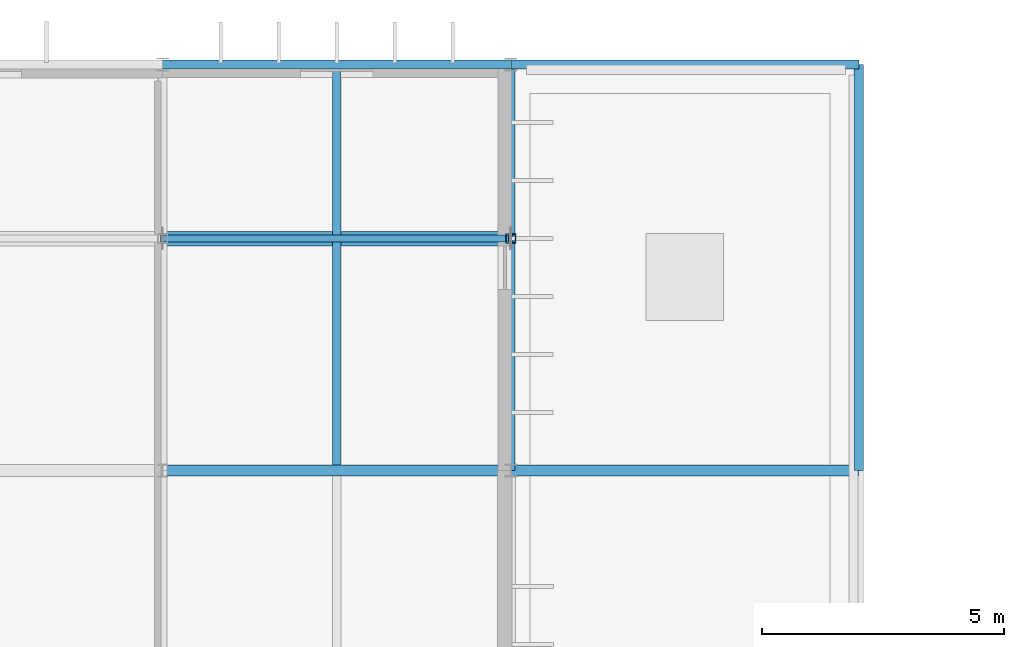
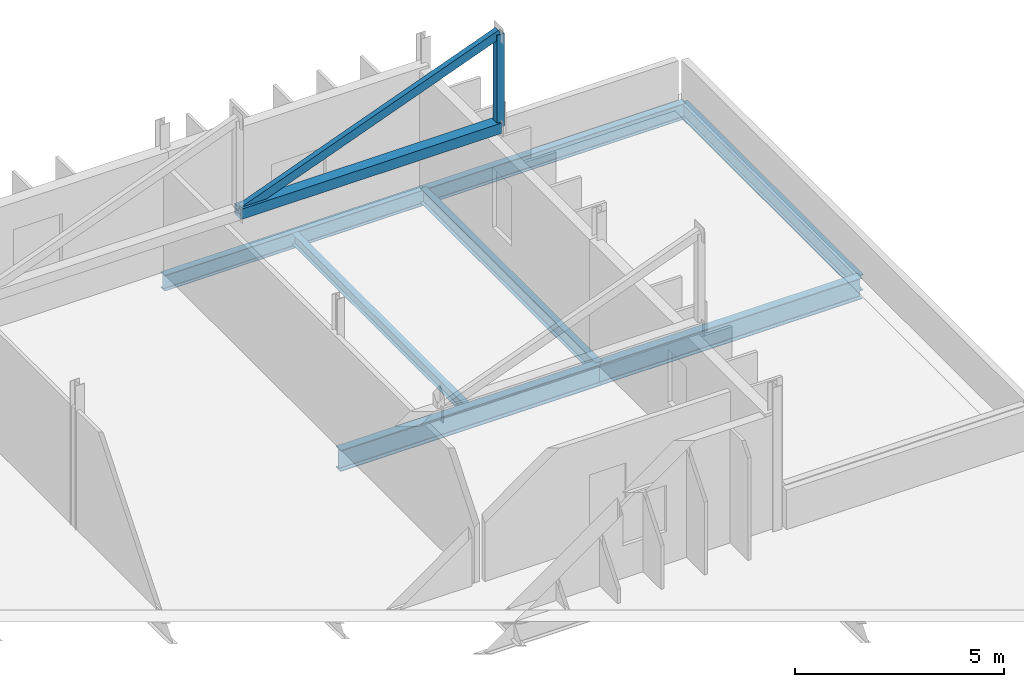
# One storey, part 26 of 52: 7 beams, 3 members.
"""IFC4 building model written with IfcOpenShell, lengths in metres."""

from ifc_helpers import new_model, si_unit, direction, frame, origin, origin_2d, place, context, subcontext, project, spatial, hollow_rectangle, i_section, extrude, material, material_profile, profile_set, type_object, element, save


model = new_model("IFC4")

# Units and contexts
model_context = context("Model", 3, precision=1e-05, world=origin(), true_north=direction((0.0, 1.0)))
body_context = subcontext(model_context, "Body", "Model", "MODEL_VIEW")
ifc_project = project(units=[si_unit("LENGTHUNIT", "METRE"), si_unit("AREAUNIT", "SQUARE_METRE"), si_unit("VOLUMEUNIT", "CUBIC_METRE"), si_unit("PLANEANGLEUNIT", "RADIAN"), si_unit("MASSUNIT", "GRAM", prefix="KILO")], contexts=[model_context])

# Site, building, storey
site_placement = place(None, origin())
site = spatial("IfcSite", under=ifc_project, at=site_placement, CompositionType="ELEMENT")
building_placement = place(site_placement, origin())
building = spatial("IfcBuilding", under=site, at=building_placement, Name="Qelthora Terrace Specialist Clinic", CompositionType="ELEMENT")
storey_placement = place(building_placement, frame((0.0, 0.0, 17.39990234375)))
storey = spatial("IfcBuildingStorey", under=building, at=storey_placement, Name="L04", CompositionType="ELEMENT", Elevation=17.39990234375)

# Beams
ifc_material = material(Name="Steel S355", Category="steel")
ifc_material_profile_1 = material_profile(ifc_material, i_section(OverallWidth=0.179931640625, OverallDepth=0.4130859375, WebThickness=0.009765625, FlangeThickness=0.01611328125, FilletRadius=0.011962890625, at=origin_2d()), Name="W410X75")
ifc_profile_set_1 = profile_set([ifc_material_profile_1], Name="Steel S355")
beam_type_1 = type_object("IfcBeamType", Name="BM-W410X75", PredefinedType="BEAM", material=ifc_profile_set_1)
beam_1_placement = place(storey_placement, frame((100.800048828125, 100.800048828125, -0.456298828125), z_axis=(0.0, 1.0, 0.0), x_axis=(-1.0, 0.0, 0.0)))
element("IfcBeam", 1, at=beam_1_placement, inside=storey, type_object=beam_type_1, Name="Girder BMY-L04-1269", PredefinedType="BEAM", context=body_context, shape_type="SweptSolid", body=[
    extrude(i_section(OverallWidth=0.179931640625, OverallDepth=0.4130859375, WebThickness=0.009765625, FlangeThickness=0.01611328125, FilletRadius=0.011962890625, at=origin_2d()), origin(), (0.0, 0.0, 1.0), 8.39990234375),
])
ifc_material_profile_2 = material_profile(ifc_material, i_section(OverallWidth=0.19091796875, OverallDepth=0.4599609375, WebThickness=0.010009765625, FlangeThickness=0.01611328125, FilletRadius=0.012939453125, at=origin_2d()), Name="W460X82")
ifc_profile_set_2 = profile_set([ifc_material_profile_2], Name="Steel S355")
beam_type_2 = type_object("IfcBeamType", Name="BM-W460X82", PredefinedType="BEAM", material=ifc_profile_set_2)
beam_2_placement = place(storey_placement, frame((108.0, 100.800048828125, -0.47998046875), z_axis=(0.0, 1.0, 0.0), x_axis=(-1.0, 0.0, 0.0)))
element("IfcBeam", 2, at=beam_2_placement, inside=storey, type_object=beam_type_2, Name="Girder BMY-L04-1278", PredefinedType="BEAM", context=body_context, shape_type="SweptSolid", body=[
    extrude(i_section(OverallWidth=0.19091796875, OverallDepth=0.4599609375, WebThickness=0.010009765625, FlangeThickness=0.01611328125, FilletRadius=0.012939453125, at=origin_2d()), origin(), (0.0, 0.0, 1.0), 8.39990234375),
])
ifc_material_profile_3 = material_profile(ifc_material, i_section(OverallWidth=0.22900390625, OverallDepth=0.612060546875, WebThickness=0.011962890625, FlangeThickness=0.01953125, FilletRadius=0.01611328125, at=origin_2d()), Name="W610X125")
ifc_profile_set_3 = profile_set([ifc_material_profile_3], Name="Steel S355")
beam_type_3 = type_object("IfcBeamType", Name="BM-W610X125", PredefinedType="BEAM", material=ifc_profile_set_3)
beam_3_placement = place(storey_placement, frame((100.800048828125, 100.800048828125, -0.555908203125), z_axis=(1.0, 0.0, 0.0), x_axis=(0.0, 1.0, 0.0)))
element("IfcBeam", 3, at=beam_3_placement, inside=storey, type_object=beam_type_3, Name="Girder BMX-L04-1194", PredefinedType="BEAM", context=body_context, shape_type="SweptSolid", body=[
    extrude(i_section(OverallWidth=0.22900390625, OverallDepth=0.612060546875, WebThickness=0.011962890625, FlangeThickness=0.01953125, FilletRadius=0.01611328125, at=origin_2d()), origin(), (0.0, 0.0, 1.0), 7.199951171875),
])
ifc_material_profile_4 = material_profile(ifc_material, i_section(OverallWidth=0.22998046875, OverallDepth=0.616943359375, WebThickness=0.01318359375, FlangeThickness=0.022216796875, FilletRadius=0.01611328125, at=origin_2d()), Name="W610X140")
ifc_profile_set_4 = profile_set([ifc_material_profile_4], Name="Steel S355")
beam_type_4 = type_object("IfcBeamType", Name="BM-W610X140", PredefinedType="BEAM", material=ifc_profile_set_4)
beam_4_placement = place(storey_placement, frame((93.60009765625, 100.800048828125, -0.558349609375), z_axis=(1.0, 0.0, 0.0), x_axis=(0.0, 1.0, 0.0)))
element("IfcBeam", 4, at=beam_4_placement, inside=storey, type_object=beam_type_4, Name="Girder BMX-L04-1193", PredefinedType="BEAM", context=body_context, shape_type="SweptSolid", body=[
    extrude(i_section(OverallWidth=0.22998046875, OverallDepth=0.616943359375, WebThickness=0.01318359375, FlangeThickness=0.022216796875, FilletRadius=0.01611328125, at=origin_2d()), origin(), (0.0, 0.0, 1.0), 7.199951171875),
])
ifc_material_profile_5 = material_profile(ifc_material, i_section(OverallWidth=0.1669921875, OverallDepth=0.31689453125, WebThickness=0.007568359375, FlangeThickness=0.01318359375, FilletRadius=0.010009765625, at=origin_2d()), Name="W310X52")
ifc_profile_set_5 = profile_set([ifc_material_profile_5], Name="Steel S355")
beam_type_5 = type_object("IfcBeamType", Name="JST-W310X52", PredefinedType="JOIST", material=ifc_profile_set_5)
beam_5_placement = place(storey_placement, frame((97.199951171875, 100.9150390625, -0.408447265625), z_axis=(0.0, 1.0, 0.0), x_axis=(-1.0, 0.0, 0.0)))
element("IfcBeam", 5, at=beam_5_placement, inside=storey, type_object=beam_type_5, Name="Composite floor joist JST-L04-0285", PredefinedType="JOIST", context=body_context, shape_type="SweptSolid", body=[
    extrude(i_section(OverallWidth=0.1669921875, OverallDepth=0.31689453125, WebThickness=0.007568359375, FlangeThickness=0.01318359375, FilletRadius=0.010009765625, at=origin_2d()), origin(), (0.0, 0.0, 1.0), 8.189453125),
])

# Members
ifc_material_profile_6 = material_profile(ifc_material, hollow_rectangle(XDim=0.199951171875, YDim=0.199951171875, WallThickness=0.010009765625, at=origin_2d()), Name="HSS200X200X10")
ifc_profile_set_6 = profile_set([ifc_material_profile_6], Name="Steel S355")
member_type_1 = type_object("IfcMemberType", Name="MEM-BRACE-HSS200", PredefinedType="BRACE", material=ifc_profile_set_6)
member_1_placement = place(storey_placement, frame((100.800048828125, 105.60009765625, 3.75), z_axis=(0.0, 0.0, 1.0), x_axis=(1.0, 0.0, 0.0)))
element("IfcMember", 6, at=member_1_placement, inside=storey, type_object=member_type_1, Name="Sawtooth clerestory post 6B", PredefinedType="BRACE", context=body_context, shape_type="SweptSolid", body=[
    extrude(hollow_rectangle(XDim=0.199951171875, YDim=0.199951171875, WallThickness=0.010009765625, at=origin_2d()), origin(), (0.0, 0.0, 1.0), 2.710205078125),
])
ifc_material_profile_7 = material_profile(ifc_material, hollow_rectangle(XDim=0.300048828125, YDim=0.300048828125, WallThickness=0.011962890625, at=origin_2d()), Name="HSS300X300X12")
ifc_profile_set_7 = profile_set([ifc_material_profile_7], Name="Steel S355")
member_type_2 = type_object("IfcMemberType", Name="MEM-CHORD-HSS300", PredefinedType="CHORD", material=ifc_profile_set_7)
member_2_placement = place(storey_placement, frame((93.60009765625, 105.60009765625, 3.75), z_axis=(1.0, 0.0, 0.0), x_axis=(0.0, 1.0, 0.0)))
element("IfcMember", 7, at=member_2_placement, inside=storey, type_object=member_type_2, Name="Sawtooth bottom tie chord 6B", PredefinedType="CHORD", context=body_context, shape_type="SweptSolid", body=[
    extrude(hollow_rectangle(XDim=0.300048828125, YDim=0.300048828125, WallThickness=0.011962890625, at=origin_2d()), origin(), (0.0, 0.0, 1.0), 7.199951171875),
])
ifc_material_profile_8 = material_profile(ifc_material, hollow_rectangle(XDim=0.14990234375, YDim=0.25, WallThickness=0.010009765625, at=origin_2d()), Name="HSS250X150X10")
ifc_profile_set_8 = profile_set([ifc_material_profile_8], Name="Steel S355")
member_type_3 = type_object("IfcMemberType", Name="MEM-RAFTER-HSS250", PredefinedType="RAFTER", material=ifc_profile_set_8)
member_3_placement = place(storey_placement, frame((93.60009765625, 105.60009765625, 3.75), z_axis=(0.935891555567, 0.0, 0.352288228895), x_axis=(0.0, 1.0, 0.0)))
element("IfcMember", 8, at=member_3_placement, inside=storey, type_object=member_type_3, Name="Sawtooth steel rafter 6B", PredefinedType="RAFTER", context=body_context, shape_type="SweptSolid", body=[
    extrude(hollow_rectangle(XDim=0.14990234375, YDim=0.25, WallThickness=0.010009765625, at=origin_2d()), origin(), (0.0, 0.0, 1.0), 7.693115234375),
])

# Beams
ifc_material_profile_9 = material_profile(ifc_material, i_section(OverallWidth=0.19091796875, OverallDepth=0.4599609375, WebThickness=0.010009765625, FlangeThickness=0.01611328125, FilletRadius=0.012939453125, at=origin_2d()), Name="W460X82")
ifc_profile_set_9 = profile_set([ifc_material_profile_9], Name="Steel S355")
beam_type_6 = type_object("IfcBeamType", Name="SPD-W460X82", PredefinedType="SPANDREL", material=ifc_profile_set_9)
for number, where, z_axis, x_axis, name in (
    (9, (93.60009765625, 109.199951171875, -0.47998046875), (1.0, 0.0, 0.0), (0.0, 1.0, 0.0), "Girder BMX-L04-1206"),
    (10, (100.800048828125, 109.199951171875, -0.47998046875), (1.0, 0.0, 0.0), (0.0, 1.0, 0.0), "Girder BMX-L04-1207"),
):
    element("IfcBeam", number, at=place(storey_placement, frame(where, z_axis=z_axis, x_axis=x_axis)), inside=storey, type_object=beam_type_6, Name=name, PredefinedType="SPANDREL", context=body_context, shape_type="SweptSolid", body=[
        extrude(i_section(OverallWidth=0.19091796875, OverallDepth=0.4599609375, WebThickness=0.010009765625, FlangeThickness=0.01611328125, FilletRadius=0.012939453125, at=origin_2d()), origin(), (0.0, 0.0, 1.0), 7.199951171875),
    ])

save(model, "model.ifc")
